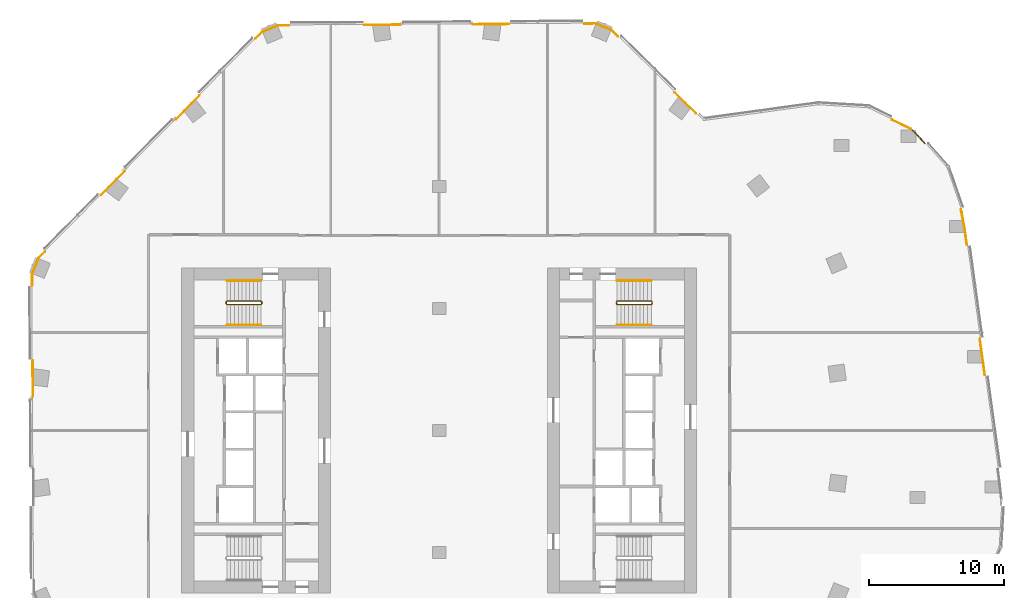
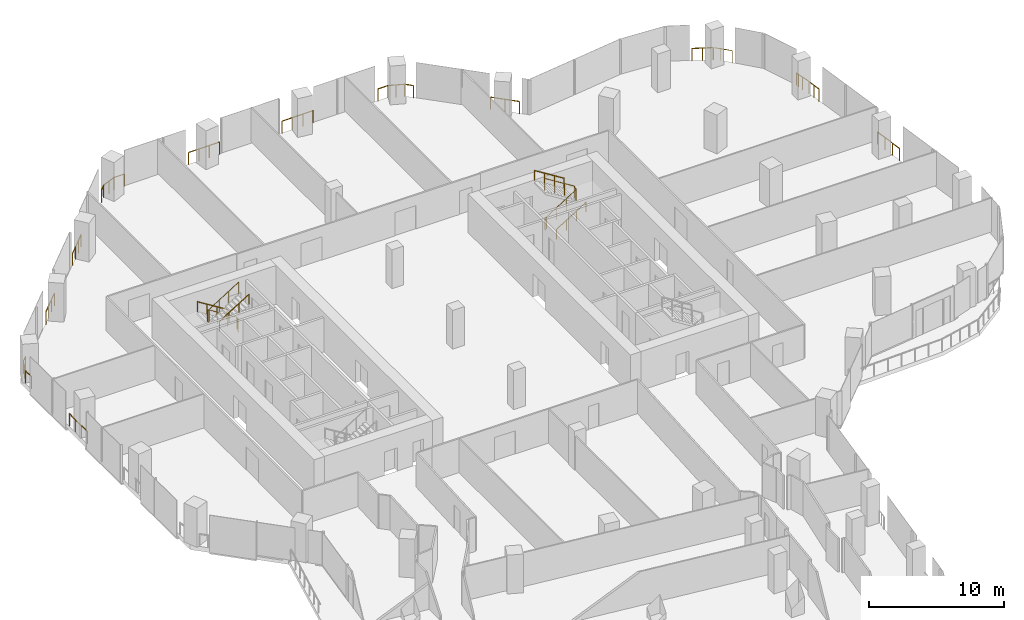
# One storey, part 29 of 29: 20 railings.
"""IFC4 building model written with IfcOpenShell, lengths in metres."""

import ifcopenshell
import ifcopenshell.guid

model = None  # the IFC model being written
_history = None  # IfcOwnerHistory: only IFC2X3 demands one
_inside = {}  # id of a spatial element -> (the spatial element, [elements in it])
_under = {}  # id of a project, library or spatial element -> (it, [spatial elements below it])
_declared = {}  # id of a project -> (the project, [libraries it declares])
_typed = {}  # id of a type object -> (the type object, [elements of that type])
_made_of = {}  # id of a material, layer set ... -> (it, [elements and type objects made of it])


def new_model(schema):
    """Start an empty IFC model of exactly this schema.

    Asked for "IFC4X3", IfcOpenShell would pick the latest addendum, in which some entities
    have other attributes; the version numbers below select the first issue.
    IFC2X3 requires an IfcOwnerHistory on every rooted entity: one is made here for all.
    """
    global model, _history
    if schema == "IFC4X3":
        model = ifcopenshell.file(schema_version=(4, 3, 0, 0))
    else:
        model = ifcopenshell.file(schema=schema)
    _inside.clear()
    _under.clear()
    _declared.clear()
    _typed.clear()
    _made_of.clear()
    _history = None
    if model.schema == "IFC2X3":
        org = make("IfcOrganization", Name="unknown")
        user = make(
            "IfcPersonAndOrganization",
            ThePerson=make("IfcPerson", FamilyName="unknown"),
            TheOrganization=org,
        )
        app = make(
            "IfcApplication",
            ApplicationDeveloper=org,
            Version="unknown",
            ApplicationFullName="unknown",
            ApplicationIdentifier="unknown",
        )
        _history = make(
            "IfcOwnerHistory",
            OwningUser=user,
            OwningApplication=app,
            ChangeAction="ADDED",
            CreationDate=0,
        )
    return model


def make(cls, **values):
    """One entity of the class cls with the attributes given. An attribute that is None is left unset."""
    return model.create_entity(
        cls, **{name: value for name, value in values.items() if value is not None}
    )


def rooted(cls, **values):
    """An entity with a GlobalId (a new one), such as an element, a storey or a relation."""
    return make(cls, GlobalId=ifcopenshell.guid.new(), OwnerHistory=_history, **values)


def si_unit(unit_type, name, prefix=None):
    """IfcSIUnit, for example si_unit("LENGTHUNIT", "METRE", prefix="MILLI")."""
    return make("IfcSIUnit", UnitType=unit_type, Prefix=prefix, Name=name)


def assignment(units):
    """IfcUnitAssignment: the units of a project."""
    return None if units is None else make("IfcUnitAssignment", Units=units)


def point(xyz):
    """IfcCartesianPoint."""
    return None if xyz is None else make("IfcCartesianPoint", Coordinates=xyz)


def direction(xyz):
    """IfcDirection."""
    return None if xyz is None else make("IfcDirection", DirectionRatios=xyz)


def frame(location, z_axis=None, x_axis=None):
    """IfcAxis2Placement3D, a coordinate frame: its origin and axes. An axis left out is left unset."""
    return make(
        "IfcAxis2Placement3D",
        Location=point(location),
        Axis=direction(z_axis),
        RefDirection=direction(x_axis),
    )


def frame_2d(location, x_axis=None):
    """IfcAxis2Placement2D, a coordinate frame in the plane: its origin and x axis."""
    return make(
        "IfcAxis2Placement2D", Location=point(location), RefDirection=direction(x_axis)
    )


def origin():
    """The frame at (0, 0, 0) with its axes left unset."""
    return frame((0.0, 0.0, 0.0))


def origin_2d():
    """The frame at (0, 0) in the plane with its x axis left unset."""
    return frame_2d((0.0, 0.0))


def place(relative_to, where):
    """IfcLocalPlacement: puts the frame where relative to a parent placement (None: the world)."""
    return make(
        "IfcLocalPlacement", PlacementRelTo=relative_to, RelativePlacement=where
    )


def context(
    kind, dimensions, precision=None, world=None, true_north=None, identifier=None
):
    """IfcGeometricRepresentationContext, for example the 3D "Model" context."""
    return make(
        "IfcGeometricRepresentationContext",
        ContextIdentifier=identifier,
        ContextType=kind,
        CoordinateSpaceDimension=dimensions,
        Precision=precision,
        WorldCoordinateSystem=world,
        TrueNorth=true_north,
    )


def subcontext(parent, identifier, kind, view, scale=None):
    """IfcGeometricRepresentationSubContext, for example "Body" below "Model"."""
    return make(
        "IfcGeometricRepresentationSubContext",
        ContextIdentifier=identifier,
        ContextType=kind,
        ParentContext=parent,
        TargetScale=scale,
        TargetView=view,
    )


def project(units=None, contexts=None):
    """IfcProject with its units and contexts."""
    return rooted(
        "IfcProject",
        Name="project",
        RepresentationContexts=contexts,
        UnitsInContext=assignment(units),
    )


def spatial(cls, under=None, at=None, **own):
    """A site, building, storey or space (cls), placed at a placement, below another one or the project."""
    s = rooted(cls, ObjectPlacement=at, **own)
    if under is not None:
        _under.setdefault(under.id(), (under, []))[1].append(s)
    return s


def profile(cls, at=None, kind="AREA", **sizes):
    """A parametric profile (cls). Its sizes go by their IFC names, for example OverallWidth=200.0."""
    return make(cls, ProfileType=kind, Position=at, **sizes)


def circle(**sizes):
    """IfcCircleProfileDef."""
    return profile("IfcCircleProfileDef", **sizes)


def extrude(swept, where, along, depth):
    """IfcExtrudedAreaSolid: the profile swept, set in the frame where, extruded along a direction by depth."""
    return make(
        "IfcExtrudedAreaSolid",
        SweptArea=swept,
        Position=where,
        ExtrudedDirection=direction(along),
        Depth=depth,
    )


def shape(context_of_items, identifier, shape_type, items):
    """IfcShapeRepresentation: the items that make up one representation, for example the "Body"."""
    return make(
        "IfcShapeRepresentation",
        ContextOfItems=context_of_items,
        RepresentationIdentifier=identifier,
        RepresentationType=shape_type,
        Items=items,
    )


def material(Name=None, Category=None):
    """IfcMaterial."""
    return make("IfcMaterial", Name=Name, Category=Category)


def made_of(thing, what):
    """Note that an element or type object is made of a material, layer set ...; save() writes the relation."""
    if what is not None:
        _made_of.setdefault(what.id(), (what, []))[1].append(thing)
    return thing


def type_object(cls, material=None, **own):
    """A type object (cls), such as IfcWallType, which elements share."""
    return made_of(rooted(cls, **own), material)


def element(
    cls,
    number,
    at=None,
    inside=None,
    cuts=None,
    type_object=None,
    material=None,
    context=None,
    identifier="Body",
    shape_type=None,
    held_by="IfcProductDefinitionShape",
    body=None,
    shapes=None,
    **own,
):
    """One element of the class cls, such as IfcWall. Its Tag is "e" and its number.

    at: its placement. inside: the storey or other place that contains it. cuts: it is an
    opening in that element (IfcRelVoidsElement). A single representation is given by context,
    identifier, shape_type and body (its items); several are given by shapes. held_by: the class
    of the entity that holds the representations. save() writes the other relations.
    """
    e = rooted(cls, Tag="e%d" % number, ObjectPlacement=at, **own)
    if body is not None:
        shapes = [shape(context, identifier, shape_type, body)]
    if shapes is not None:
        e.Representation = make(held_by, Representations=shapes)
    if inside is not None:
        _inside.setdefault(inside.id(), (inside, []))[1].append(e)
    if cuts is not None:
        rooted(
            "IfcRelVoidsElement", RelatingBuildingElement=cuts, RelatedOpeningElement=e
        )
    if type_object is not None:
        _typed.setdefault(type_object.id(), (type_object, []))[1].append(e)
    return made_of(e, material)


def aggregate(whole, parts):
    """IfcRelAggregates: a whole, such as a stair, and the parts it consists of."""
    return rooted("IfcRelAggregates", RelatingObject=whole, RelatedObjects=parts)


def save(model, path):
    """Write the relations noted so far, then the file.

    IfcRelAggregates (storeys below a building ...), IfcRelContainedInSpatialStructure (elements
    in a storey), IfcRelDefinesByType, IfcRelAssociatesMaterial and IfcRelDeclares: one each for
    every whole, place, type object, material and project.
    """
    for whole, parts in _under.values():
        aggregate(whole, parts)
    for where, things in _inside.values():
        rooted(
            "IfcRelContainedInSpatialStructure",
            RelatedElements=things,
            RelatingStructure=where,
        )
    for kind, things in _typed.values():
        rooted("IfcRelDefinesByType", RelatedObjects=things, RelatingType=kind)
    for what, things in _made_of.values():
        rooted("IfcRelAssociatesMaterial", RelatedObjects=things, RelatingMaterial=what)
    for by, libraries in _declared.values():
        rooted("IfcRelDeclares", RelatingContext=by, RelatedDefinitions=libraries)
    model.write(path)


model = new_model("IFC4")

# Units and contexts
model_context = context("Model", 3, precision=1e-05, world=origin(), true_north=direction((0.0, 1.0)))
body_context = subcontext(model_context, "Body", "Model", "MODEL_VIEW")
ifc_project = project(units=[si_unit("LENGTHUNIT", "METRE"), si_unit("AREAUNIT", "SQUARE_METRE"), si_unit("VOLUMEUNIT", "CUBIC_METRE"), si_unit("PLANEANGLEUNIT", "RADIAN"), si_unit("MASSUNIT", "GRAM", prefix="KILO")], contexts=[model_context])

# Site, building, storey
site_placement = place(None, origin())
site = spatial("IfcSite", under=ifc_project, at=site_placement, CompositionType="ELEMENT")
building_placement = place(site_placement, origin())
building = spatial("IfcBuilding", under=site, at=building_placement, Name="Orlundy Tower", CompositionType="ELEMENT")
storey_placement = place(building_placement, frame((0.0, 0.0, 188.60009765625)))
storey = spatial("IfcBuildingStorey", under=building, at=storey_placement, Name="L49", CompositionType="ELEMENT", Elevation=188.60009765625)

# Railings
ifc_material_1 = material(Name="Steel balustrade", Category="steel")
railing_type_1 = type_object("IfcRailingType", Name="Stair Guard 1100", PredefinedType="GUARDRAIL", material=ifc_material_1)
railing_1_placement = place(storey_placement, frame((-13.090087890625, 9.5, 0.0)))
element("IfcRailing", 1, at=railing_1_placement, inside=storey, type_object=railing_type_1, Name="L49 ST-W1 stair guard 1", PredefinedType="GUARDRAIL", context=body_context, shape_type="SweptSolid", body=[
    extrude(circle(Radius=0.02392578125, at=origin_2d()), frame((0.0, 0.0, 1.076171875), z_axis=(0.0, -1.0, 0.0), x_axis=(1.0, 0.0, 0.0)), (0.0, 0.0, 1.0), 0.14990234375),
    extrude(circle(Radius=0.02392578125, at=origin_2d()), frame((0.0, -0.14990234375, 1.076171875), z_axis=(-0.184313129624, 0.739963005698, 0.646902945152), x_axis=(-0.970351222016, -0.241699205484, 0.0)), (0.0, 0.0, 1.0), 0.270263671875),
    extrude(circle(Radius=0.02392578125, at=origin_2d()), frame((-0.0498046875, 0.050048828125, 1.2509765625), z_axis=(-0.847970611238, 0.0, 0.530043245855), x_axis=(0.0, -1.0, 0.0)), (0.0, 0.0, 1.0), 2.971923828125),
    extrude(circle(Radius=0.02392578125, at=origin_2d()), frame((-2.56982421875, 0.050048828125, 2.826171875), z_axis=(-0.707106781187, -0.707106781187, 0.0), x_axis=(0.707106781187, -0.707106781187, 0.0)), (0.0, 0.0, 1.0), 0.07080078125),
    extrude(circle(Radius=0.02392578125, at=origin_2d()), frame((-2.619873046875, 0.0, 2.826171875), z_axis=(0.0, -1.0, 0.0), x_axis=(1.0, 0.0, 0.0)), (0.0, 0.0, 1.0), 0.14990234375),
    extrude(circle(Radius=0.02392578125, at=origin_2d()), frame((-2.619873046875, -0.14990234375, 2.826171875), z_axis=(0.265383341853, -0.265383341853, 0.926899867156), x_axis=(0.707106781187, 0.707106781187, 0.0)), (0.0, 0.0, 1.0), 0.1884765625),
    extrude(circle(Radius=0.02392578125, at=origin_2d()), frame((-2.56982421875, -0.199951171875, 3.0009765625), z_axis=(0.847970611238, 0.0, 0.530043245855), x_axis=(0.0, 1.0, 0.0)), (0.0, 0.0, 1.0), 2.971923828125),
    extrude(circle(Radius=0.02099609375, at=origin_2d()), origin(), (0.0, 0.0, 1.0), 1.052001953125),
    extrude(circle(Radius=0.02099609375, at=origin_2d()), frame((0.0, -0.14990234375, 0.0)), (0.0, 0.0, 1.0), 1.052001953125),
    extrude(circle(Radius=0.02099609375, at=origin_2d()), frame((-0.0498046875, 0.050048828125, 0.1748046875)), (0.0, 0.0, 1.0), 1.052001953125),
    extrude(circle(Radius=0.02099609375, at=origin_2d()), frame((-0.889892578125, 0.050048828125, 0.699951171875)), (0.0, 0.0, 1.0), 1.052001953125),
    extrude(circle(Radius=0.02099609375, at=origin_2d()), frame((-1.729736328125, 0.050048828125, 1.224853515625)), (0.0, 0.0, 1.0), 1.052001953125),
    extrude(circle(Radius=0.02099609375, at=origin_2d()), frame((-2.56982421875, 0.050048828125, 1.75)), (0.0, 0.0, 1.0), 1.052001953125),
    extrude(circle(Radius=0.02099609375, at=origin_2d()), frame((-2.619873046875, 0.0, 1.75)), (0.0, 0.0, 1.0), 1.052001953125),
    extrude(circle(Radius=0.02099609375, at=origin_2d()), frame((-2.619873046875, -0.14990234375, 1.75)), (0.0, 0.0, 1.0), 1.052001953125),
    extrude(circle(Radius=0.02099609375, at=origin_2d()), frame((-2.56982421875, -0.199951171875, 1.9248046875)), (0.0, 0.0, 1.0), 1.052001953125),
    extrude(circle(Radius=0.02099609375, at=origin_2d()), frame((-1.729736328125, -0.199951171875, 2.449951171875)), (0.0, 0.0, 1.0), 1.052001953125),
    extrude(circle(Radius=0.02099609375, at=origin_2d()), frame((-0.889892578125, -0.199951171875, 2.974853515625)), (0.0, 0.0, 1.0), 1.052001953125),
    extrude(circle(Radius=0.02099609375, at=origin_2d()), frame((-0.0498046875, -0.199951171875, 3.5)), (0.0, 0.0, 1.0), 1.052001953125),
])
railing_2_placement = place(storey_placement, frame((13.090087890625, 9.35009765625, 0.0)))
element("IfcRailing", 2, at=railing_2_placement, inside=storey, type_object=railing_type_1, Name="L49 ST-E2 stair guard 1", PredefinedType="GUARDRAIL", context=body_context, shape_type="SweptSolid", body=[
    extrude(circle(Radius=0.02392578125, at=origin_2d()), frame((0.0, 0.0, 1.076171875), z_axis=(0.0, 1.0, 0.0), x_axis=(-1.0, 0.0, 0.0)), (0.0, 0.0, 1.0), 0.14990234375),
    extrude(circle(Radius=0.02392578125, at=origin_2d()), frame((0.0, 0.14990234375, 1.076171875), z_axis=(0.184313129624, -0.739963005698, 0.646902945152), x_axis=(0.970351222016, 0.241699205484, 0.0)), (0.0, 0.0, 1.0), 0.270263671875),
    extrude(circle(Radius=0.02392578125, at=origin_2d()), frame((0.0498046875, -0.050048828125, 1.2509765625), z_axis=(0.847970611238, 0.0, 0.530043245855), x_axis=(0.0, 1.0, 0.0)), (0.0, 0.0, 1.0), 2.971923828125),
    extrude(circle(Radius=0.02392578125, at=origin_2d()), frame((2.56982421875, -0.050048828125, 2.826171875), z_axis=(0.707106781187, 0.707106781187, 0.0), x_axis=(-0.707106781187, 0.707106781187, 0.0)), (0.0, 0.0, 1.0), 0.07080078125),
    extrude(circle(Radius=0.02392578125, at=origin_2d()), frame((2.619873046875, 0.0, 2.826171875), z_axis=(0.0, 1.0, 0.0), x_axis=(-1.0, 0.0, 0.0)), (0.0, 0.0, 1.0), 0.14990234375),
    extrude(circle(Radius=0.02392578125, at=origin_2d()), frame((2.619873046875, 0.14990234375, 2.826171875), z_axis=(-0.265383341853, 0.265383341853, 0.926899867156), x_axis=(-0.707106781187, -0.707106781187, 0.0)), (0.0, 0.0, 1.0), 0.1884765625),
    extrude(circle(Radius=0.02392578125, at=origin_2d()), frame((2.56982421875, 0.199951171875, 3.0009765625), z_axis=(-0.847970611238, 0.0, 0.530043245855), x_axis=(0.0, -1.0, 0.0)), (0.0, 0.0, 1.0), 2.971923828125),
    extrude(circle(Radius=0.02099609375, at=origin_2d()), origin(), (0.0, 0.0, 1.0), 1.052001953125),
    extrude(circle(Radius=0.02099609375, at=origin_2d()), frame((0.0, 0.14990234375, 0.0)), (0.0, 0.0, 1.0), 1.052001953125),
    extrude(circle(Radius=0.02099609375, at=origin_2d()), frame((0.0498046875, -0.050048828125, 0.1748046875)), (0.0, 0.0, 1.0), 1.052001953125),
    extrude(circle(Radius=0.02099609375, at=origin_2d()), frame((0.889892578125, -0.050048828125, 0.699951171875)), (0.0, 0.0, 1.0), 1.052001953125),
    extrude(circle(Radius=0.02099609375, at=origin_2d()), frame((1.729736328125, -0.050048828125, 1.224853515625)), (0.0, 0.0, 1.0), 1.052001953125),
    extrude(circle(Radius=0.02099609375, at=origin_2d()), frame((2.56982421875, -0.050048828125, 1.75)), (0.0, 0.0, 1.0), 1.052001953125),
    extrude(circle(Radius=0.02099609375, at=origin_2d()), frame((2.619873046875, 0.0, 1.75)), (0.0, 0.0, 1.0), 1.052001953125),
    extrude(circle(Radius=0.02099609375, at=origin_2d()), frame((2.619873046875, 0.14990234375, 1.75)), (0.0, 0.0, 1.0), 1.052001953125),
    extrude(circle(Radius=0.02099609375, at=origin_2d()), frame((2.56982421875, 0.199951171875, 1.9248046875)), (0.0, 0.0, 1.0), 1.052001953125),
    extrude(circle(Radius=0.02099609375, at=origin_2d()), frame((1.729736328125, 0.199951171875, 2.449951171875)), (0.0, 0.0, 1.0), 1.052001953125),
    extrude(circle(Radius=0.02099609375, at=origin_2d()), frame((0.889892578125, 0.199951171875, 2.974853515625)), (0.0, 0.0, 1.0), 1.052001953125),
    extrude(circle(Radius=0.02099609375, at=origin_2d()), frame((0.0498046875, 0.199951171875, 3.5)), (0.0, 0.0, 1.0), 1.052001953125),
])
ifc_material_2 = material(Name="Steel handrail", Category="steel")
railing_type_2 = type_object("IfcRailingType", Name="Stair Handrail 900", PredefinedType="HANDRAIL", material=ifc_material_2)
railing_3_placement = place(storey_placement, frame((-13.139892578125, 11.050048828125, 0.1748046875)))
element("IfcRailing", 3, at=railing_3_placement, inside=storey, type_object=railing_type_2, Name="L49 ST-W1 stair handrail 1", PredefinedType="HANDRAIL", context=body_context, shape_type="SweptSolid", body=[
    extrude(circle(Radius=0.02392578125, at=origin_2d()), frame((0.0, 0.0, 0.8759765625), z_axis=(-0.847970611238, 0.0, 0.530043245855), x_axis=(0.0, -1.0, 0.0)), (0.0, 0.0, 1.0), 2.971923828125),
    extrude(circle(Radius=0.02099609375, at=origin_2d()), origin(), (0.0, 0.0, 1.0), 0.851806640625),
    extrude(circle(Radius=0.02099609375, at=origin_2d()), frame((-0.840087890625, 0.0, 0.525146484375)), (0.0, 0.0, 1.0), 0.851806640625),
    extrude(circle(Radius=0.02099609375, at=origin_2d()), frame((-1.679931640625, 0.0, 1.050048828125)), (0.0, 0.0, 1.0), 0.851806640625),
    extrude(circle(Radius=0.02099609375, at=origin_2d()), frame((-2.52001953125, 0.0, 1.5751953125)), (0.0, 0.0, 1.0), 0.851806640625),
])
for number, where, name in (
    (4, (-15.659912109375, 7.800048828125, 1.9248046875), "L49 ST-W1 stair handrail 2"),
    (5, (13.139892578125, 7.800048828125, 0.1748046875), "L49 ST-E2 stair handrail 1"),
):
    element("IfcRailing", number, at=place(storey_placement, frame(where)), inside=storey, type_object=railing_type_2, Name=name, PredefinedType="HANDRAIL", context=body_context, shape_type="SweptSolid", body=[
        extrude(circle(Radius=0.02392578125, at=origin_2d()), frame((0.0, 0.0, 0.8759765625), z_axis=(0.847970611238, 0.0, 0.530043245855), x_axis=(0.0, 1.0, 0.0)), (0.0, 0.0, 1.0), 2.971923828125),
        extrude(circle(Radius=0.02099609375, at=origin_2d()), origin(), (0.0, 0.0, 1.0), 0.851806640625),
        extrude(circle(Radius=0.02099609375, at=origin_2d()), frame((0.840087890625, 0.0, 0.525146484375)), (0.0, 0.0, 1.0), 0.851806640625),
        extrude(circle(Radius=0.02099609375, at=origin_2d()), frame((1.679931640625, 0.0, 1.050048828125)), (0.0, 0.0, 1.0), 0.851806640625),
        extrude(circle(Radius=0.02099609375, at=origin_2d()), frame((2.52001953125, 0.0, 1.5751953125)), (0.0, 0.0, 1.0), 0.851806640625),
    ])
railing_4_placement = place(storey_placement, frame((15.659912109375, 11.050048828125, 1.9248046875)))
element("IfcRailing", 6, at=railing_4_placement, inside=storey, type_object=railing_type_2, Name="L49 ST-E2 stair handrail 2", PredefinedType="HANDRAIL", context=body_context, shape_type="SweptSolid", body=[
    extrude(circle(Radius=0.02392578125, at=origin_2d()), frame((0.0, 0.0, 0.8759765625), z_axis=(-0.847970611238, 0.0, 0.530043245855), x_axis=(0.0, -1.0, 0.0)), (0.0, 0.0, 1.0), 2.971923828125),
    extrude(circle(Radius=0.02099609375, at=origin_2d()), origin(), (0.0, 0.0, 1.0), 0.851806640625),
    extrude(circle(Radius=0.02099609375, at=origin_2d()), frame((-0.840087890625, 0.0, 0.525146484375)), (0.0, 0.0, 1.0), 0.851806640625),
    extrude(circle(Radius=0.02099609375, at=origin_2d()), frame((-1.679931640625, 0.0, 1.050048828125)), (0.0, 0.0, 1.0), 0.851806640625),
    extrude(circle(Radius=0.02099609375, at=origin_2d()), frame((-2.52001953125, 0.0, 1.5751953125)), (0.0, 0.0, 1.0), 0.851806640625),
])
ifc_material_3 = material(Name="Stainless steel bronze finish", Category="steel")
railing_type_3 = type_object("IfcRailingType", Name="TG1 terrace guard", PredefinedType="GUARDRAIL", material=ifc_material_3)
railing_5_placement = place(storey_placement, frame((34.821533203125, 22.24853515625, 0.0)))
element("IfcRailing", 7, at=railing_5_placement, inside=storey, type_object=railing_type_3, Name="Guard TG-L49-E01", PredefinedType="GUARDRAIL", context=body_context, shape_type="SweptSolid", body=[
    extrude(circle(Radius=0.02490234375, at=origin_2d()), frame((0.0, 0.0, 1.09521484375), z_axis=(0.758247005945, -0.65196739027, 0.0), x_axis=(0.65196739027, 0.758247005945, 0.0)), (0.0, 0.0, 1.0), 0.546630859375),
    extrude(circle(Radius=0.02490234375, at=origin_2d()), frame((0.41455078125, -0.3564453125, 1.09521484375), z_axis=(0.663869544083, -0.747848399369, 0.0), x_axis=(0.747848399369, 0.663869544083, 0.0)), (0.0, 0.0, 1.0), 0.95068359375),
    extrude(circle(Radius=0.02490234375, at=origin_2d()), frame((1.045654296875, -1.0673828125, 1.09521484375), z_axis=(-0.699834792679, 0.714304740959, 0.0), x_axis=(-0.714304740959, -0.699834792679, 0.0)), (0.0, 0.0, 1.0), 1.43408203125),
    extrude(circle(Radius=0.02001953125, at=origin_2d()), origin(), (0.0, 0.0, 1.0), 1.070068359375),
    extrude(circle(Radius=0.02001953125, at=origin_2d()), frame((0.41455078125, -0.3564453125, 0.0)), (0.0, 0.0, 1.0), 1.070068359375),
    extrude(circle(Radius=0.02001953125, at=origin_2d()), frame((1.045654296875, -1.0673828125, 0.0)), (0.0, 0.0, 1.0), 1.070068359375),
    extrude(circle(Radius=0.02001953125, at=origin_2d()), frame((0.5439453125, -0.55517578125, 0.0)), (0.0, 0.0, 1.0), 1.070068359375),
    extrude(circle(Radius=0.02001953125, at=origin_2d()), frame((0.0419921875, -0.04296875, 0.0)), (0.0, 0.0, 1.0), 1.070068359375),
])
railing_6_placement = place(storey_placement, frame((-13.53466796875, 28.925537109375, 0.0)))
element("IfcRailing", 8, at=railing_6_placement, inside=storey, type_object=railing_type_3, Name="Guard TG-L49-E03", PredefinedType="GUARDRAIL", context=body_context, shape_type="SweptSolid", body=[
    extrude(circle(Radius=0.02490234375, at=origin_2d()), frame((0.0, 0.0, 1.09521484375), z_axis=(0.702906076652, 0.711282677566, 0.0), x_axis=(-0.711282677566, 0.702906076652, 0.0)), (0.0, 0.0, 1.0), 0.67041015625),
    extrude(circle(Radius=0.02490234375, at=origin_2d()), frame((0.47119140625, 0.476806640625, 1.09521484375), z_axis=(0.921701011306, 0.387901077283, 0.0), x_axis=(-0.387901077283, 0.921701011306, 0.0)), (0.0, 0.0, 1.0), 1.260009765625),
    extrude(circle(Radius=0.02490234375, at=origin_2d()), frame((1.632568359375, 0.965576171875, 1.09521484375), z_axis=(0.999983119035, 0.005810477159, 0.0), x_axis=(-0.005810477159, 0.999983119035, 0.0)), (0.0, 0.0, 1.0), 0.84033203125),
    extrude(circle(Radius=0.02001953125, at=origin_2d()), origin(), (0.0, 0.0, 1.0), 1.070068359375),
    extrude(circle(Radius=0.02001953125, at=origin_2d()), frame((0.47119140625, 0.476806640625, 0.0)), (0.0, 0.0, 1.0), 1.070068359375),
    extrude(circle(Radius=0.02001953125, at=origin_2d()), frame((1.0517578125, 0.72119140625, 0.0)), (0.0, 0.0, 1.0), 1.070068359375),
    extrude(circle(Radius=0.02001953125, at=origin_2d()), frame((1.632568359375, 0.965576171875, 0.0)), (0.0, 0.0, 1.0), 1.070068359375),
    extrude(circle(Radius=0.02001953125, at=origin_2d()), frame((2.472900390625, 0.970458984375, 0.0)), (0.0, 0.0, 1.0), 1.070068359375),
])
railing_7_placement = place(storey_placement, frame((10.72216796875, 30.023193359375, 0.0)))
element("IfcRailing", 9, at=railing_7_placement, inside=storey, type_object=railing_type_3, Name="Guard TG-L49-E05", PredefinedType="GUARDRAIL", context=body_context, shape_type="SweptSolid", body=[
    extrude(circle(Radius=0.02490234375, at=origin_2d()), frame((0.0, 0.0, 1.09521484375), z_axis=(0.999984450272, 0.005576667025, 0.0), x_axis=(-0.005576667025, 0.999984450272, 0.0)), (0.0, 0.0, 1.0), 0.831787109375),
    extrude(circle(Radius=0.02490234375, at=origin_2d()), frame((0.831787109375, 0.004638671875, 1.09521484375), z_axis=(0.926024639501, -0.377463067116, 0.0), x_axis=(0.377463067116, 0.926024639501, 0.0)), (0.0, 0.0, 1.0), 1.260009765625),
    extrude(circle(Radius=0.02490234375, at=origin_2d()), frame((1.99853515625, -0.470947265625, 1.09521484375), z_axis=(0.711505450871, -0.702680577062, 0.0), x_axis=(0.702680577062, 0.711505450871, 0.0)), (0.0, 0.0, 1.0), 0.6640625),
    extrude(circle(Radius=0.02001953125, at=origin_2d()), origin(), (0.0, 0.0, 1.0), 1.070068359375),
    extrude(circle(Radius=0.02001953125, at=origin_2d()), frame((0.831787109375, 0.004638671875, 0.0)), (0.0, 0.0, 1.0), 1.070068359375),
    extrude(circle(Radius=0.02001953125, at=origin_2d()), frame((1.4150390625, -0.233154296875, 0.0)), (0.0, 0.0, 1.0), 1.070068359375),
    extrude(circle(Radius=0.02001953125, at=origin_2d()), frame((1.99853515625, -0.470947265625, 0.0)), (0.0, 0.0, 1.0), 1.070068359375),
    extrude(circle(Radius=0.02001953125, at=origin_2d()), frame((2.470947265625, -0.9375, 0.0)), (0.0, 0.0, 1.0), 1.070068359375),
])
railing_8_placement = place(storey_placement, frame((-30.023193359375, 10.72216796875, 0.0)))
element("IfcRailing", 10, at=railing_8_placement, inside=storey, type_object=railing_type_3, Name="Guard TG-L49-E06", PredefinedType="GUARDRAIL", context=body_context, shape_type="SweptSolid", body=[
    extrude(circle(Radius=0.02490234375, at=origin_2d()), frame((0.0, 0.0, 1.09521484375), z_axis=(-0.005576667025, 0.999984450272, 0.0), x_axis=(-0.999984450272, -0.005576667025, 0.0)), (0.0, 0.0, 1.0), 0.831787109375),
    extrude(circle(Radius=0.02490234375, at=origin_2d()), frame((-0.004638671875, 0.831787109375, 1.09521484375), z_axis=(0.377463067116, 0.926024639501, 0.0), x_axis=(-0.926024639501, 0.377463067116, 0.0)), (0.0, 0.0, 1.0), 1.260009765625),
    extrude(circle(Radius=0.02490234375, at=origin_2d()), frame((0.470947265625, 1.99853515625, 1.09521484375), z_axis=(0.702680577062, 0.711505450871, 0.0), x_axis=(-0.711505450871, 0.702680577062, 0.0)), (0.0, 0.0, 1.0), 0.6640625),
    extrude(circle(Radius=0.02001953125, at=origin_2d()), origin(), (0.0, 0.0, 1.0), 1.070068359375),
    extrude(circle(Radius=0.02001953125, at=origin_2d()), frame((-0.004638671875, 0.831787109375, 0.0)), (0.0, 0.0, 1.0), 1.070068359375),
    extrude(circle(Radius=0.02001953125, at=origin_2d()), frame((0.233154296875, 1.4150390625, 0.0)), (0.0, 0.0, 1.0), 1.070068359375),
    extrude(circle(Radius=0.02001953125, at=origin_2d()), frame((0.470947265625, 1.99853515625, 0.0)), (0.0, 0.0, 1.0), 1.070068359375),
    extrude(circle(Radius=0.02001953125, at=origin_2d()), frame((0.9375, 2.470947265625, 0.0)), (0.0, 0.0, 1.0), 1.070068359375),
])
railing_9_placement = place(storey_placement, frame((39.914306640625, 6.7373046875, 0.0)))
element("IfcRailing", 11, at=railing_9_placement, inside=storey, type_object=railing_type_3, Name="Guard TG-L49-E08", PredefinedType="GUARDRAIL", context=body_context, shape_type="SweptSolid", body=[
    extrude(circle(Radius=0.02490234375, at=origin_2d()), frame((0.0, 0.0, 1.09521484375), z_axis=(0.136227283585, -0.990677610127, 0.0), x_axis=(0.990677610127, 0.136227283585, 0.0)), (0.0, 0.0, 1.0), 2.67919921875),
    extrude(circle(Radius=0.02001953125, at=origin_2d()), origin(), (0.0, 0.0, 1.0), 1.070068359375),
    extrude(circle(Radius=0.02001953125, at=origin_2d()), frame((0.12158203125, -0.884765625, 0.0)), (0.0, 0.0, 1.0), 1.070068359375),
    extrude(circle(Radius=0.02001953125, at=origin_2d()), frame((0.243408203125, -1.76953125, 0.0)), (0.0, 0.0, 1.0), 1.070068359375),
    extrude(circle(Radius=0.02001953125, at=origin_2d()), frame((0.364990234375, -2.654296875, 0.0)), (0.0, 0.0, 1.0), 1.070068359375),
])
railing_10_placement = place(storey_placement, frame((-29.97509765625, 2.510986328125, 0.0)))
element("IfcRailing", 12, at=railing_10_placement, inside=storey, type_object=railing_type_3, Name="Guard TG-L49-E09", PredefinedType="GUARDRAIL", context=body_context, shape_type="SweptSolid", body=[
    extrude(circle(Radius=0.02490234375, at=origin_2d()), frame((0.0, 0.0, 1.09521484375), z_axis=(-0.005800473267, 0.999983177113, 0.0), x_axis=(-0.999983177113, -0.005800473267, 0.0)), (0.0, 0.0, 1.0), 2.651611328125),
    extrude(circle(Radius=0.02001953125, at=origin_2d()), origin(), (0.0, 0.0, 1.0), 1.070068359375),
    extrude(circle(Radius=0.02001953125, at=origin_2d()), frame((-0.005126953125, 0.8837890625, 0.0)), (0.0, 0.0, 1.0), 1.070068359375),
    extrude(circle(Radius=0.02001953125, at=origin_2d()), frame((-0.01025390625, 1.767822265625, 0.0)), (0.0, 0.0, 1.0), 1.070068359375),
    extrude(circle(Radius=0.02001953125, at=origin_2d()), frame((-0.015380859375, 2.651611328125, 0.0)), (0.0, 0.0, 1.0), 1.070068359375),
])
railing_11_placement = place(storey_placement, frame((2.510986328125, 29.97509765625, 0.0)))
element("IfcRailing", 13, at=railing_11_placement, inside=storey, type_object=railing_type_3, Name="Guard TG-L49-E010", PredefinedType="GUARDRAIL", context=body_context, shape_type="SweptSolid", body=[
    extrude(circle(Radius=0.02490234375, at=origin_2d()), frame((0.0, 0.0, 1.09521484375), z_axis=(0.999983177113, 0.005800473267, 0.0), x_axis=(-0.005800473267, 0.999983177113, 0.0)), (0.0, 0.0, 1.0), 2.651611328125),
    extrude(circle(Radius=0.02001953125, at=origin_2d()), origin(), (0.0, 0.0, 1.0), 1.070068359375),
    extrude(circle(Radius=0.02001953125, at=origin_2d()), frame((0.8837890625, 0.005126953125, 0.0)), (0.0, 0.0, 1.0), 1.070068359375),
    extrude(circle(Radius=0.02001953125, at=origin_2d()), frame((1.767822265625, 0.01025390625, 0.0)), (0.0, 0.0, 1.0), 1.070068359375),
    extrude(circle(Radius=0.02001953125, at=origin_2d()), frame((2.651611328125, 0.015380859375, 0.0)), (0.0, 0.0, 1.0), 1.070068359375),
])
railing_12_placement = place(storey_placement, frame((-5.502197265625, 29.928466796875, 0.0)))
element("IfcRailing", 14, at=railing_12_placement, inside=storey, type_object=railing_type_3, Name="Guard TG-L49-E012", PredefinedType="GUARDRAIL", context=body_context, shape_type="SweptSolid", body=[
    extrude(circle(Radius=0.02490234375, at=origin_2d()), frame((0.0, 0.0, 1.09521484375), z_axis=(0.999983061907, 0.005820300527, 0.0), x_axis=(-0.005820300527, 0.999983061907, 0.0)), (0.0, 0.0, 1.0), 2.642578125),
    extrude(circle(Radius=0.02001953125, at=origin_2d()), origin(), (0.0, 0.0, 1.0), 1.070068359375),
    extrude(circle(Radius=0.02001953125, at=origin_2d()), frame((0.880859375, 0.005126953125, 0.0)), (0.0, 0.0, 1.0), 1.070068359375),
    extrude(circle(Radius=0.02001953125, at=origin_2d()), frame((1.76171875, 0.01025390625, 0.0)), (0.0, 0.0, 1.0), 1.070068359375),
    extrude(circle(Radius=0.02001953125, at=origin_2d()), frame((2.642578125, 0.015380859375, 0.0)), (0.0, 0.0, 1.0), 1.070068359375),
])
railing_13_placement = place(storey_placement, frame((-24.935791015625, 17.391357421875, 0.0)))
element("IfcRailing", 15, at=railing_13_placement, inside=storey, type_object=railing_type_3, Name="Guard TG-L49-E013", PredefinedType="GUARDRAIL", context=body_context, shape_type="SweptSolid", body=[
    extrude(circle(Radius=0.02490234375, at=origin_2d()), frame((0.0, 0.0, 1.09521484375), z_axis=(0.703001406334, 0.71118845793, 0.0), x_axis=(-0.71118845793, 0.703001406334, 0.0)), (0.0, 0.0, 1.0), 2.47509765625),
    extrude(circle(Radius=0.02001953125, at=origin_2d()), origin(), (0.0, 0.0, 1.0), 1.070068359375),
    extrude(circle(Radius=0.02001953125, at=origin_2d()), frame((0.580078125, 0.586669921875, 0.0)), (0.0, 0.0, 1.0), 1.070068359375),
    extrude(circle(Radius=0.02001953125, at=origin_2d()), frame((1.159912109375, 1.173583984375, 0.0)), (0.0, 0.0, 1.0), 1.070068359375),
    extrude(circle(Radius=0.02001953125, at=origin_2d()), frame((1.739990234375, 1.76025390625, 0.0)), (0.0, 0.0, 1.0), 1.070068359375),
])
railing_14_placement = place(storey_placement, frame((-19.42041015625, 22.97119140625, 0.0)))
element("IfcRailing", 16, at=railing_14_placement, inside=storey, type_object=railing_type_3, Name="Guard TG-L49-E014", PredefinedType="GUARDRAIL", context=body_context, shape_type="SweptSolid", body=[
    extrude(circle(Radius=0.02490234375, at=origin_2d()), frame((0.0, 0.0, 1.09521484375), z_axis=(0.702993926438, 0.711195851641, 0.0), x_axis=(-0.711195851641, 0.702993926438, 0.0)), (0.0, 0.0, 1.0), 2.470703125),
    extrude(circle(Radius=0.02001953125, at=origin_2d()), origin(), (0.0, 0.0, 1.0), 1.070068359375),
    extrude(circle(Radius=0.02001953125, at=origin_2d()), frame((0.578857421875, 0.585693359375, 0.0)), (0.0, 0.0, 1.0), 1.070068359375),
    extrude(circle(Radius=0.02001953125, at=origin_2d()), frame((1.157958984375, 1.17138671875, 0.0)), (0.0, 0.0, 1.0), 1.070068359375),
    extrude(circle(Radius=0.02001953125, at=origin_2d()), frame((1.73681640625, 1.757080078125, 0.0)), (0.0, 0.0, 1.0), 1.070068359375),
])
railing_15_placement = place(storey_placement, frame((17.391357421875, 24.935791015625, 0.0)))
element("IfcRailing", 17, at=railing_15_placement, inside=storey, type_object=railing_type_3, Name="Guard TG-L49-E016", PredefinedType="GUARDRAIL", context=body_context, shape_type="SweptSolid", body=[
    extrude(circle(Radius=0.02490234375, at=origin_2d()), frame((0.0, 0.0, 1.09521484375), z_axis=(0.711150298713, -0.703040007852, 0.0), x_axis=(0.703040007852, 0.711150298713, 0.0)), (0.0, 0.0, 1.0), 2.197509765625),
    extrude(circle(Radius=0.02001953125, at=origin_2d()), origin(), (0.0, 0.0, 1.0), 1.070068359375),
    extrude(circle(Radius=0.02001953125, at=origin_2d()), frame((0.78125, -0.7724609375, 0.0)), (0.0, 0.0, 1.0), 1.070068359375),
    extrude(circle(Radius=0.02001953125, at=origin_2d()), frame((1.562744140625, -1.544921875, 0.0)), (0.0, 0.0, 1.0), 1.070068359375),
])
railing_16_placement = place(storey_placement, frame((38.587890625, 16.097900390625, 0.0)))
element("IfcRailing", 18, at=railing_16_placement, inside=storey, type_object=railing_type_3, Name="Guard TG-L49-E020", PredefinedType="GUARDRAIL", context=body_context, shape_type="SweptSolid", body=[
    extrude(circle(Radius=0.02490234375, at=origin_2d()), frame((0.0, 0.0, 1.09521484375), z_axis=(-0.327259435139, 0.94493452795, 0.0), x_axis=(-0.94493452795, -0.327259435139, 0.0)), (0.0, 0.0, 1.0), 0.225341796875),
    extrude(circle(Radius=0.02490234375, at=origin_2d()), frame((-0.07373046875, 0.212890625, 1.09521484375), z_axis=(0.19416988999, -0.980967916815, 0.0), x_axis=(0.980967916815, 0.19416988999, 0.0)), (0.0, 0.0, 1.0), 1.3994140625),
    extrude(circle(Radius=0.02001953125, at=origin_2d()), origin(), (0.0, 0.0, 1.0), 1.070068359375),
    extrude(circle(Radius=0.02001953125, at=origin_2d()), frame((-0.07373046875, 0.212890625, 0.0)), (0.0, 0.0, 1.0), 1.070068359375),
    extrude(circle(Radius=0.02001953125, at=origin_2d()), frame((0.06201171875, -0.4736328125, 0.0)), (0.0, 0.0, 1.0), 1.070068359375),
    extrude(circle(Radius=0.02001953125, at=origin_2d()), frame((0.197998046875, -1.159912109375, 0.0)), (0.0, 0.0, 1.0), 1.070068359375),
])
railing_17_placement = place(storey_placement, frame((33.413330078125, 22.93310546875, 0.0)))
element("IfcRailing", 19, at=railing_17_placement, inside=storey, type_object=railing_type_3, Name="Guard TG-L49-E021", PredefinedType="GUARDRAIL", context=body_context, shape_type="SweptSolid", body=[
    extrude(circle(Radius=0.02490234375, at=origin_2d()), frame((0.0, 0.0, 1.09521484375), z_axis=(0.899361041999, -0.437206720139, 0.0), x_axis=(0.437206720139, 0.899361041999, 0.0)), (0.0, 0.0, 1.0), 1.565673828125),
    extrude(circle(Radius=0.02001953125, at=origin_2d()), origin(), (0.0, 0.0, 1.0), 1.070068359375),
    extrude(circle(Radius=0.02001953125, at=origin_2d()), frame((0.7041015625, -0.34228515625, 0.0)), (0.0, 0.0, 1.0), 1.070068359375),
    extrude(circle(Radius=0.02001953125, at=origin_2d()), frame((1.408203125, -0.6845703125, 0.0)), (0.0, 0.0, 1.0), 1.070068359375),
])
railing_18_placement = place(storey_placement, frame((38.785888671875, 14.93798828125, 0.0)))
element("IfcRailing", 20, at=railing_18_placement, inside=storey, type_object=railing_type_3, Name="Guard TG-L49-E023", PredefinedType="GUARDRAIL", context=body_context, shape_type="SweptSolid", body=[
    extrude(circle(Radius=0.02490234375, at=origin_2d()), frame((0.0, 0.0, 1.09521484375), z_axis=(0.136287707206, -0.990669299446, 0.0), x_axis=(0.990669299446, 0.136287707206, 0.0)), (0.0, 0.0, 1.0), 1.252197265625),
    extrude(circle(Radius=0.02001953125, at=origin_2d()), origin(), (0.0, 0.0, 1.0), 1.070068359375),
    extrude(circle(Radius=0.02001953125, at=origin_2d()), frame((0.08544921875, -0.6201171875, 0.0)), (0.0, 0.0, 1.0), 1.070068359375),
    extrude(circle(Radius=0.02001953125, at=origin_2d()), frame((0.170654296875, -1.240478515625, 0.0)), (0.0, 0.0, 1.0), 1.070068359375),
])

save(model, "model.ifc")
